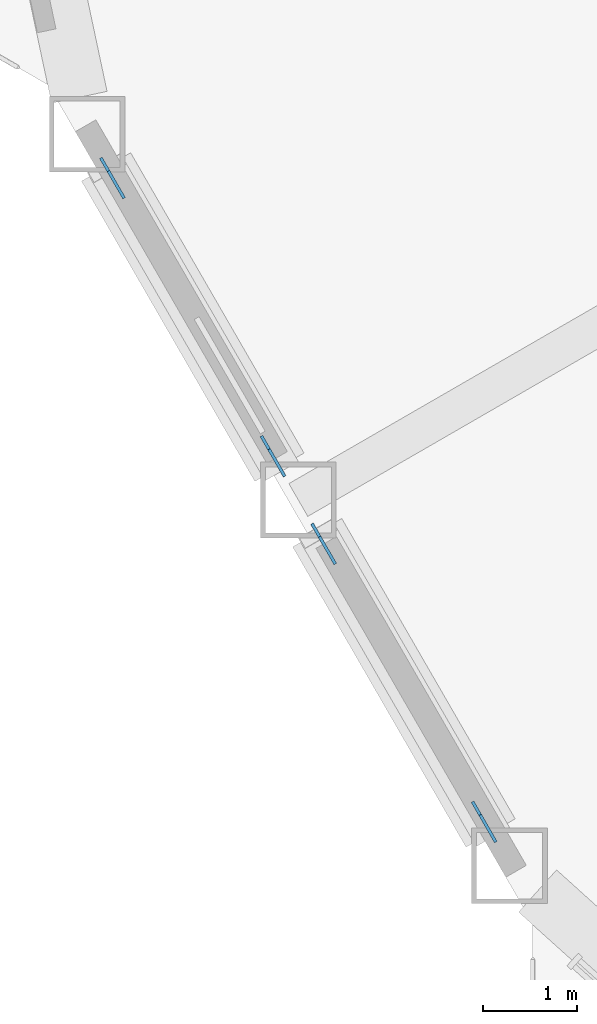
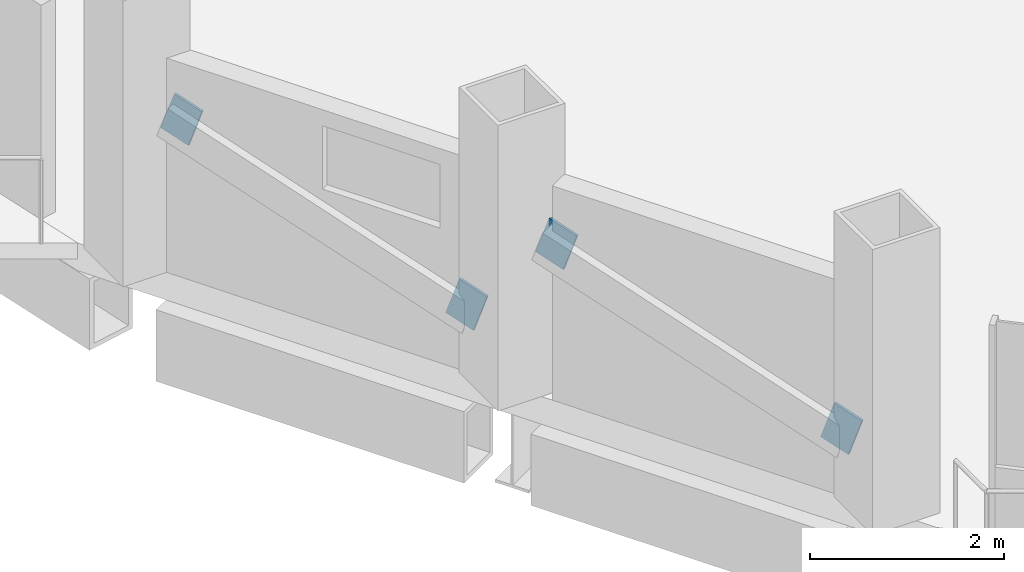
# One storey, part 16 of 23: 4 discrete accessories.
"""IFC4 building model written with IfcOpenShell, lengths in metres."""

from ifc_helpers import new_model, si_unit, direction, frame, origin, origin_2d, place, context, subcontext, project, spatial, rectangle, extrude, material, material_profile, profile_set, type_object, element, save


model = new_model("IFC4")

# Units and contexts
model_context = context("Model", 3, precision=1e-05, world=origin(), true_north=direction((0.0, 1.0)))
body_context = subcontext(model_context, "Body", "Model", "MODEL_VIEW")
ifc_project = project(units=[si_unit("LENGTHUNIT", "METRE"), si_unit("AREAUNIT", "SQUARE_METRE"), si_unit("VOLUMEUNIT", "CUBIC_METRE"), si_unit("PLANEANGLEUNIT", "RADIAN"), si_unit("MASSUNIT", "GRAM", prefix="KILO")], contexts=[model_context])

# Site, building, storey
site_placement = place(None, origin())
site = spatial("IfcSite", under=ifc_project, at=site_placement, CompositionType="ELEMENT")
building_placement = place(site_placement, origin())
building = spatial("IfcBuilding", under=site, at=building_placement, Name="Cormorant Prow Tower", CompositionType="ELEMENT")
storey_placement = place(building_placement, frame((0.0, 0.0, 169.199951171875)))
storey = spatial("IfcBuildingStorey", under=building, at=storey_placement, Name="L35", CompositionType="ELEMENT", Elevation=169.199951171875)

# Discrete accessories
ifc_material = material(Name="Structural steel ASTM A500 Gr C", Category="steel")
ifc_material_profile = material_profile(ifc_material, rectangle(XDim=0.031982421875, YDim=0.506103515625, at=origin_2d()), Name="Gusset plate 32x506")
ifc_profile_set = profile_set([ifc_material_profile], Name="Structural steel ASTM A500 Gr C")
discrete_accessory_type = type_object("IfcDiscreteAccessoryType", Name="Gusset plate 32x506", PredefinedType="BRACKET", material=ifc_profile_set)
discrete_accessory_1_placement = place(storey_placement, frame((-28.40966796875, -15.59228515625, 0.835693359375), z_axis=(0.474172452765, -0.820736730742, -0.318671780755), x_axis=(0.86587923604, 0.500253084543, 0.0)))
element("IfcDiscreteAccessory", 1, at=discrete_accessory_1_placement, inside=storey, type_object=discrete_accessory_type, Name="Gusset plate GP2 L35.WSW00.g0", PredefinedType="BRACKET", context=body_context, shape_type="SweptSolid", body=[
    extrude(rectangle(XDim=0.031982421875, YDim=0.506103515625, at=origin_2d()), origin(), (0.0, 0.0, 1.0), 0.35009765625),
])
discrete_accessory_2_placement = place(storey_placement, frame((-29.943359375, -12.935791015625, 1.865478515625), z_axis=(-0.47373689254, 0.821190460264, 0.318150254784), x_axis=(-0.866197837791, -0.499701216534, 0.0)))
element("IfcDiscreteAccessory", 2, at=discrete_accessory_2_placement, inside=storey, type_object=discrete_accessory_type, Name="Gusset plate GP2 L35.WSW00.g1", PredefinedType="BRACKET", context=body_context, shape_type="SweptSolid", body=[
    extrude(rectangle(XDim=0.031982421875, YDim=0.506103515625, at=origin_2d()), origin(), (0.0, 0.0, 1.0), 0.349853515625),
])
for number, where, z_axis, x_axis, name in (
    (3, (-26.17431640625, -19.463623046875, 0.835693359375), (0.473631655621, -0.821008039272, -0.31877712315), (0.866197837791, 0.499701216534, 0.0), "Gusset plate GP2 L35.WSW01.g0"),
    (4, (-27.7080078125, -16.807373046875, 1.865478515625), (-0.4742777402, 0.820918970906, 0.31804507284), (-0.86587923604, -0.500253084543, 0.0), "Gusset plate GP2 L35.WSW01.g1"),
):
    element("IfcDiscreteAccessory", number, at=place(storey_placement, frame(where, z_axis=z_axis, x_axis=x_axis)), inside=storey, type_object=discrete_accessory_type, Name=name, PredefinedType="BRACKET", context=body_context, shape_type="SweptSolid", body=[
        extrude(rectangle(XDim=0.031982421875, YDim=0.506103515625, at=origin_2d()), origin(), (0.0, 0.0, 1.0), 0.35009765625),
    ])

save(model, "model.ifc")
